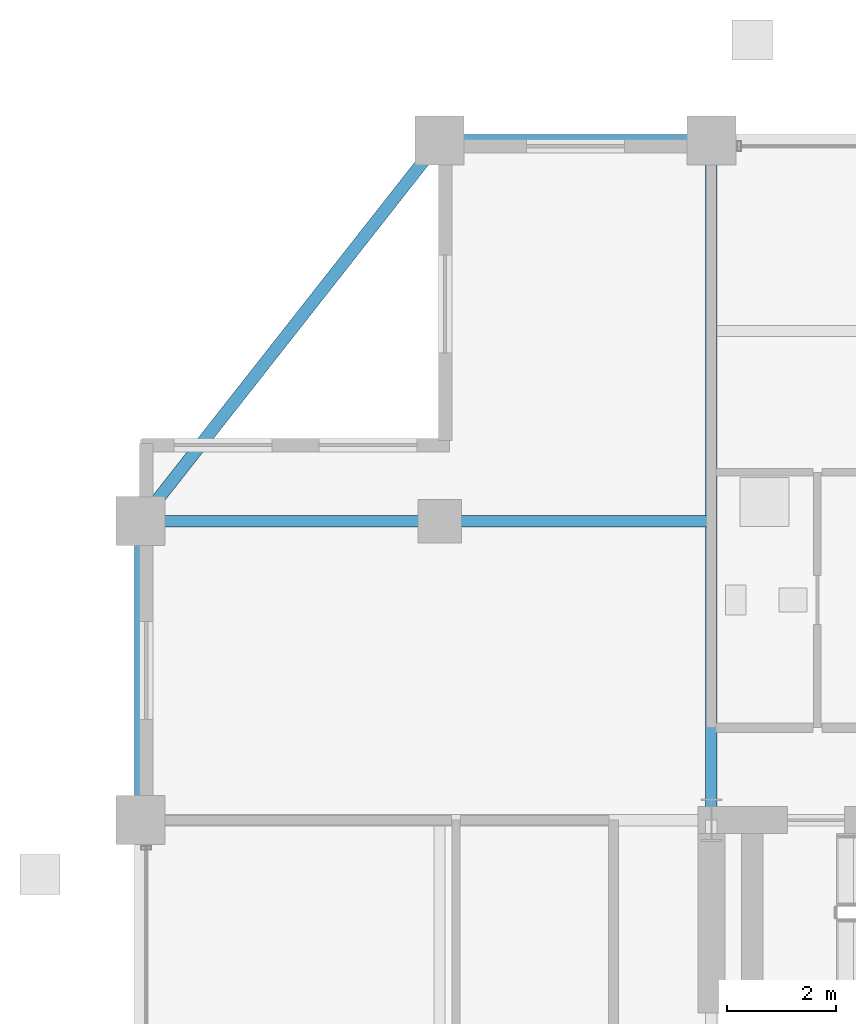
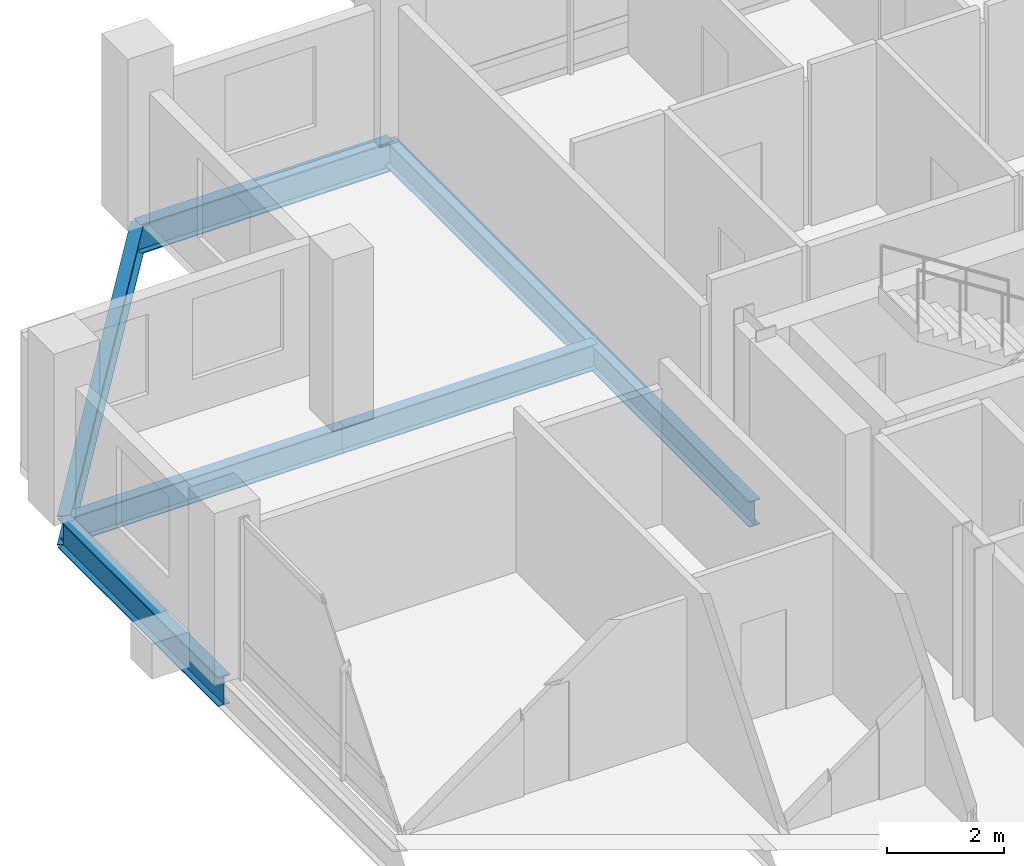
# One storey, part 11 of 22: 6 beams.
"""IFC4 building model written with IfcOpenShell, lengths in metres."""

import ifcopenshell
import ifcopenshell.guid

model = None  # the IFC model being written
_history = None  # IfcOwnerHistory: only IFC2X3 demands one
_inside = {}  # id of a spatial element -> (the spatial element, [elements in it])
_under = {}  # id of a project, library or spatial element -> (it, [spatial elements below it])
_declared = {}  # id of a project -> (the project, [libraries it declares])
_typed = {}  # id of a type object -> (the type object, [elements of that type])
_made_of = {}  # id of a material, layer set ... -> (it, [elements and type objects made of it])


def new_model(schema):
    """Start an empty IFC model of exactly this schema.

    Asked for "IFC4X3", IfcOpenShell would pick the latest addendum, in which some entities
    have other attributes; the version numbers below select the first issue.
    IFC2X3 requires an IfcOwnerHistory on every rooted entity: one is made here for all.
    """
    global model, _history
    if schema == "IFC4X3":
        model = ifcopenshell.file(schema_version=(4, 3, 0, 0))
    else:
        model = ifcopenshell.file(schema=schema)
    _inside.clear()
    _under.clear()
    _declared.clear()
    _typed.clear()
    _made_of.clear()
    _history = None
    if model.schema == "IFC2X3":
        org = make("IfcOrganization", Name="unknown")
        user = make(
            "IfcPersonAndOrganization",
            ThePerson=make("IfcPerson", FamilyName="unknown"),
            TheOrganization=org,
        )
        app = make(
            "IfcApplication",
            ApplicationDeveloper=org,
            Version="unknown",
            ApplicationFullName="unknown",
            ApplicationIdentifier="unknown",
        )
        _history = make(
            "IfcOwnerHistory",
            OwningUser=user,
            OwningApplication=app,
            ChangeAction="ADDED",
            CreationDate=0,
        )
    return model


def make(cls, **values):
    """One entity of the class cls with the attributes given. An attribute that is None is left unset."""
    return model.create_entity(
        cls, **{name: value for name, value in values.items() if value is not None}
    )


def rooted(cls, **values):
    """An entity with a GlobalId (a new one), such as an element, a storey or a relation."""
    return make(cls, GlobalId=ifcopenshell.guid.new(), OwnerHistory=_history, **values)


def si_unit(unit_type, name, prefix=None):
    """IfcSIUnit, for example si_unit("LENGTHUNIT", "METRE", prefix="MILLI")."""
    return make("IfcSIUnit", UnitType=unit_type, Prefix=prefix, Name=name)


def assignment(units):
    """IfcUnitAssignment: the units of a project."""
    return None if units is None else make("IfcUnitAssignment", Units=units)


def point(xyz):
    """IfcCartesianPoint."""
    return None if xyz is None else make("IfcCartesianPoint", Coordinates=xyz)


def direction(xyz):
    """IfcDirection."""
    return None if xyz is None else make("IfcDirection", DirectionRatios=xyz)


def frame(location, z_axis=None, x_axis=None):
    """IfcAxis2Placement3D, a coordinate frame: its origin and axes. An axis left out is left unset."""
    return make(
        "IfcAxis2Placement3D",
        Location=point(location),
        Axis=direction(z_axis),
        RefDirection=direction(x_axis),
    )


def frame_2d(location, x_axis=None):
    """IfcAxis2Placement2D, a coordinate frame in the plane: its origin and x axis."""
    return make(
        "IfcAxis2Placement2D", Location=point(location), RefDirection=direction(x_axis)
    )


def origin():
    """The frame at (0, 0, 0) with its axes left unset."""
    return frame((0.0, 0.0, 0.0))


def origin_2d():
    """The frame at (0, 0) in the plane with its x axis left unset."""
    return frame_2d((0.0, 0.0))


def place(relative_to, where):
    """IfcLocalPlacement: puts the frame where relative to a parent placement (None: the world)."""
    return make(
        "IfcLocalPlacement", PlacementRelTo=relative_to, RelativePlacement=where
    )


def context(
    kind, dimensions, precision=None, world=None, true_north=None, identifier=None
):
    """IfcGeometricRepresentationContext, for example the 3D "Model" context."""
    return make(
        "IfcGeometricRepresentationContext",
        ContextIdentifier=identifier,
        ContextType=kind,
        CoordinateSpaceDimension=dimensions,
        Precision=precision,
        WorldCoordinateSystem=world,
        TrueNorth=true_north,
    )


def subcontext(parent, identifier, kind, view, scale=None):
    """IfcGeometricRepresentationSubContext, for example "Body" below "Model"."""
    return make(
        "IfcGeometricRepresentationSubContext",
        ContextIdentifier=identifier,
        ContextType=kind,
        ParentContext=parent,
        TargetScale=scale,
        TargetView=view,
    )


def project(units=None, contexts=None):
    """IfcProject with its units and contexts."""
    return rooted(
        "IfcProject",
        Name="project",
        RepresentationContexts=contexts,
        UnitsInContext=assignment(units),
    )


def spatial(cls, under=None, at=None, **own):
    """A site, building, storey or space (cls), placed at a placement, below another one or the project."""
    s = rooted(cls, ObjectPlacement=at, **own)
    if under is not None:
        _under.setdefault(under.id(), (under, []))[1].append(s)
    return s


def profile(cls, at=None, kind="AREA", **sizes):
    """A parametric profile (cls). Its sizes go by their IFC names, for example OverallWidth=200.0."""
    return make(cls, ProfileType=kind, Position=at, **sizes)


def i_section(**sizes):
    """IfcIShapeProfileDef."""
    return profile("IfcIShapeProfileDef", **sizes)


def extrude(swept, where, along, depth):
    """IfcExtrudedAreaSolid: the profile swept, set in the frame where, extruded along a direction by depth."""
    return make(
        "IfcExtrudedAreaSolid",
        SweptArea=swept,
        Position=where,
        ExtrudedDirection=direction(along),
        Depth=depth,
    )


def shape(context_of_items, identifier, shape_type, items):
    """IfcShapeRepresentation: the items that make up one representation, for example the "Body"."""
    return make(
        "IfcShapeRepresentation",
        ContextOfItems=context_of_items,
        RepresentationIdentifier=identifier,
        RepresentationType=shape_type,
        Items=items,
    )


def material(Name=None, Category=None):
    """IfcMaterial."""
    return make("IfcMaterial", Name=Name, Category=Category)


def material_profile(
    of_material, cross_section, Name=None, Category=None, Priority=None
):
    """IfcMaterialProfile: a cross section and its material."""
    return make(
        "IfcMaterialProfile",
        Name=Name,
        Material=of_material,
        Profile=cross_section,
        Priority=Priority,
        Category=Category,
    )


def profile_set(profiles, Name=None, composite=None):
    """IfcMaterialProfileSet."""
    return make(
        "IfcMaterialProfileSet",
        Name=Name,
        MaterialProfiles=profiles,
        CompositeProfile=composite,
    )


def made_of(thing, what):
    """Note that an element or type object is made of a material, layer set ...; save() writes the relation."""
    if what is not None:
        _made_of.setdefault(what.id(), (what, []))[1].append(thing)
    return thing


def type_object(cls, material=None, **own):
    """A type object (cls), such as IfcWallType, which elements share."""
    return made_of(rooted(cls, **own), material)


def element(
    cls,
    number,
    at=None,
    inside=None,
    cuts=None,
    type_object=None,
    material=None,
    context=None,
    identifier="Body",
    shape_type=None,
    held_by="IfcProductDefinitionShape",
    body=None,
    shapes=None,
    **own,
):
    """One element of the class cls, such as IfcWall. Its Tag is "e" and its number.

    at: its placement. inside: the storey or other place that contains it. cuts: it is an
    opening in that element (IfcRelVoidsElement). A single representation is given by context,
    identifier, shape_type and body (its items); several are given by shapes. held_by: the class
    of the entity that holds the representations. save() writes the other relations.
    """
    e = rooted(cls, Tag="e%d" % number, ObjectPlacement=at, **own)
    if body is not None:
        shapes = [shape(context, identifier, shape_type, body)]
    if shapes is not None:
        e.Representation = make(held_by, Representations=shapes)
    if inside is not None:
        _inside.setdefault(inside.id(), (inside, []))[1].append(e)
    if cuts is not None:
        rooted(
            "IfcRelVoidsElement", RelatingBuildingElement=cuts, RelatedOpeningElement=e
        )
    if type_object is not None:
        _typed.setdefault(type_object.id(), (type_object, []))[1].append(e)
    return made_of(e, material)


def aggregate(whole, parts):
    """IfcRelAggregates: a whole, such as a stair, and the parts it consists of."""
    return rooted("IfcRelAggregates", RelatingObject=whole, RelatedObjects=parts)


def save(model, path):
    """Write the relations noted so far, then the file.

    IfcRelAggregates (storeys below a building ...), IfcRelContainedInSpatialStructure (elements
    in a storey), IfcRelDefinesByType, IfcRelAssociatesMaterial and IfcRelDeclares: one each for
    every whole, place, type object, material and project.
    """
    for whole, parts in _under.values():
        aggregate(whole, parts)
    for where, things in _inside.values():
        rooted(
            "IfcRelContainedInSpatialStructure",
            RelatedElements=things,
            RelatingStructure=where,
        )
    for kind, things in _typed.values():
        rooted("IfcRelDefinesByType", RelatedObjects=things, RelatingType=kind)
    for what, things in _made_of.values():
        rooted("IfcRelAssociatesMaterial", RelatedObjects=things, RelatingMaterial=what)
    for by, libraries in _declared.values():
        rooted("IfcRelDeclares", RelatingContext=by, RelatedDefinitions=libraries)
    model.write(path)


model = new_model("IFC4")

# Units and contexts
model_context = context("Model", 3, precision=1e-05, world=origin(), true_north=direction((0.0, 1.0)))
body_context = subcontext(model_context, "Body", "Model", "MODEL_VIEW")
ifc_project = project(units=[si_unit("LENGTHUNIT", "METRE"), si_unit("AREAUNIT", "SQUARE_METRE"), si_unit("VOLUMEUNIT", "CUBIC_METRE"), si_unit("PLANEANGLEUNIT", "RADIAN"), si_unit("MASSUNIT", "GRAM", prefix="KILO")], contexts=[model_context])

# Site, building, storey
site_placement = place(None, origin())
site = spatial("IfcSite", under=ifc_project, at=site_placement, CompositionType="ELEMENT")
building_placement = place(site_placement, origin())
building = spatial("IfcBuilding", under=site, at=building_placement, Name="Barlavira Tower and Art Museum", CompositionType="ELEMENT")
storey_placement = place(building_placement, frame((0.0, 0.0, 243.89990234375)))
storey = spatial("IfcBuildingStorey", under=building, at=storey_placement, Name="L63", CompositionType="ELEMENT", Elevation=243.89990234375)

# Beams
ifc_material = material(Name="Steel S355", Category="steel")
ifc_material_profile_1 = material_profile(ifc_material, i_section(OverallWidth=0.22998046875, OverallDepth=0.616943359375, WebThickness=0.01318359375, FlangeThickness=0.022216796875, at=origin_2d()), Name="W610x140.0")
ifc_profile_set_1 = profile_set([ifc_material_profile_1], Name="Steel S355")
beam_type_1 = type_object("IfcBeamType", Name="Upper Shaft Spandrel Edge Beam W610x140 Steel S355", PredefinedType="SPANDREL", material=ifc_profile_set_1)
beam_1_placement = place(storey_placement, frame((-11.5, 20.0, -0.5283203125), z_axis=(1.0, 0.0, 0.0), x_axis=(0.0, 1.0, 0.0)))
element("IfcBeam", 1, at=beam_1_placement, inside=storey, type_object=beam_type_1, Name="L63 Spandrel 11", PredefinedType="SPANDREL", context=body_context, shape_type="SweptSolid", body=[
    extrude(i_section(OverallWidth=0.22998046875, OverallDepth=0.616943359375, WebThickness=0.01318359375, FlangeThickness=0.022216796875, at=origin_2d()), origin(), (0.0, 0.0, 1.0), 5.0),
])
beam_2_placement = place(storey_placement, frame((-11.5, 20.0, -0.5283203125), z_axis=(-0.617821551932, -0.786318338822, 0.0), x_axis=(0.786318338822, -0.617821551932, 0.0)))
element("IfcBeam", 2, at=beam_2_placement, inside=storey, type_object=beam_type_1, Name="L63 Spandrel 12", PredefinedType="SPANDREL", context=body_context, shape_type="SweptSolid", body=[
    extrude(i_section(OverallWidth=0.22998046875, OverallDepth=0.616943359375, WebThickness=0.01318359375, FlangeThickness=0.022216796875, at=origin_2d()), origin(), (0.0, 0.0, 1.0), 8.90234375),
])
beam_3_placement = place(storey_placement, frame((-17.0, 7.5, -0.5283203125), z_axis=(0.0, 1.0, 0.0), x_axis=(-1.0, 0.0, 0.0)))
element("IfcBeam", 3, at=beam_3_placement, inside=storey, type_object=beam_type_1, Name="L63 Spandrel 13", PredefinedType="SPANDREL", context=body_context, shape_type="SweptSolid", body=[
    extrude(i_section(OverallWidth=0.22998046875, OverallDepth=0.616943359375, WebThickness=0.01318359375, FlangeThickness=0.022216796875, at=origin_2d()), origin(), (0.0, 0.0, 1.0), 5.5),
])
ifc_material_profile_2 = material_profile(ifc_material, i_section(OverallWidth=0.2109375, OverallDepth=0.5390625, WebThickness=0.01171875, FlangeThickness=0.018798828125, at=origin_2d()), Name="W530x109.0")
ifc_profile_set_2 = profile_set([ifc_material_profile_2], Name="Steel S355")
beam_type_2 = type_object("IfcBeamType", Name="Zone 3-4 Primary Floor Girder W530x109 Steel S355", PredefinedType="BEAM", material=ifc_profile_set_2)
beam_4_placement = place(storey_placement, frame((-6.5, 7.5, -0.489501953125), z_axis=(0.0, 1.0, 0.0), x_axis=(-1.0, 0.0, 0.0)))
element("IfcBeam", 4, at=beam_4_placement, inside=storey, type_object=beam_type_2, Name="L63 Girder R-N1", PredefinedType="BEAM", context=body_context, shape_type="SweptSolid", body=[
    extrude(i_section(OverallWidth=0.2109375, OverallDepth=0.5390625, WebThickness=0.01171875, FlangeThickness=0.018798828125, at=origin_2d()), origin(), (0.0, 0.0, 1.0), 12.5),
])
beam_5_placement = place(storey_placement, frame((-17.0, 13.0, -0.489501953125), z_axis=(1.0, 0.0, 0.0), x_axis=(0.0, 1.0, 0.0)))
element("IfcBeam", 5, at=beam_5_placement, inside=storey, type_object=beam_type_2, Name="L63 Girder I-N1", PredefinedType="BEAM", context=body_context, shape_type="SweptSolid", body=[
    extrude(i_section(OverallWidth=0.2109375, OverallDepth=0.5390625, WebThickness=0.01171875, FlangeThickness=0.018798828125, at=origin_2d()), origin(), (0.0, 0.0, 1.0), 5.5),
])
beam_6_placement = place(storey_placement, frame((-11.5, 13.0, -0.489501953125), z_axis=(1.0, 0.0, 0.0), x_axis=(0.0, 1.0, 0.0)))
element("IfcBeam", 6, at=beam_6_placement, inside=storey, type_object=beam_type_2, Name="L63 Girder I-N2", PredefinedType="BEAM", context=body_context, shape_type="SweptSolid", body=[
    extrude(i_section(OverallWidth=0.2109375, OverallDepth=0.5390625, WebThickness=0.01171875, FlangeThickness=0.018798828125, at=origin_2d()), origin(), (0.0, 0.0, 1.0), 5.0),
])

save(model, "model.ifc")
